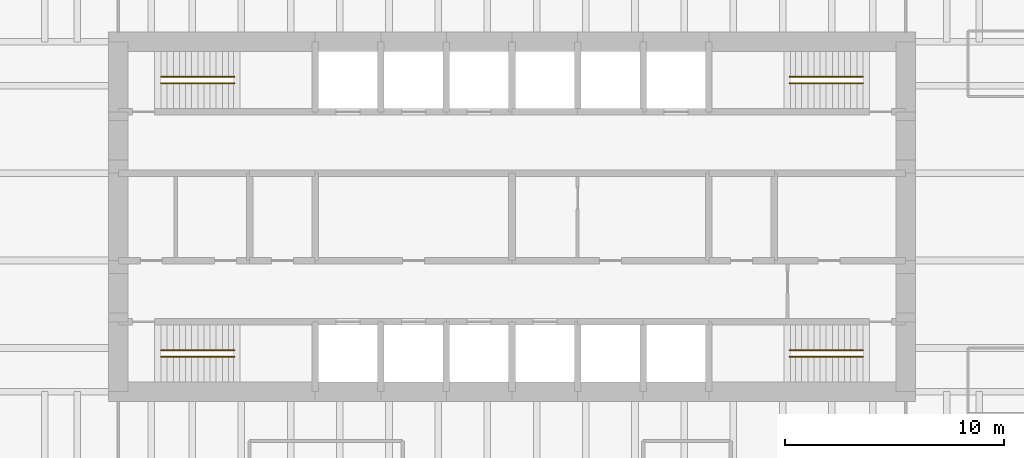
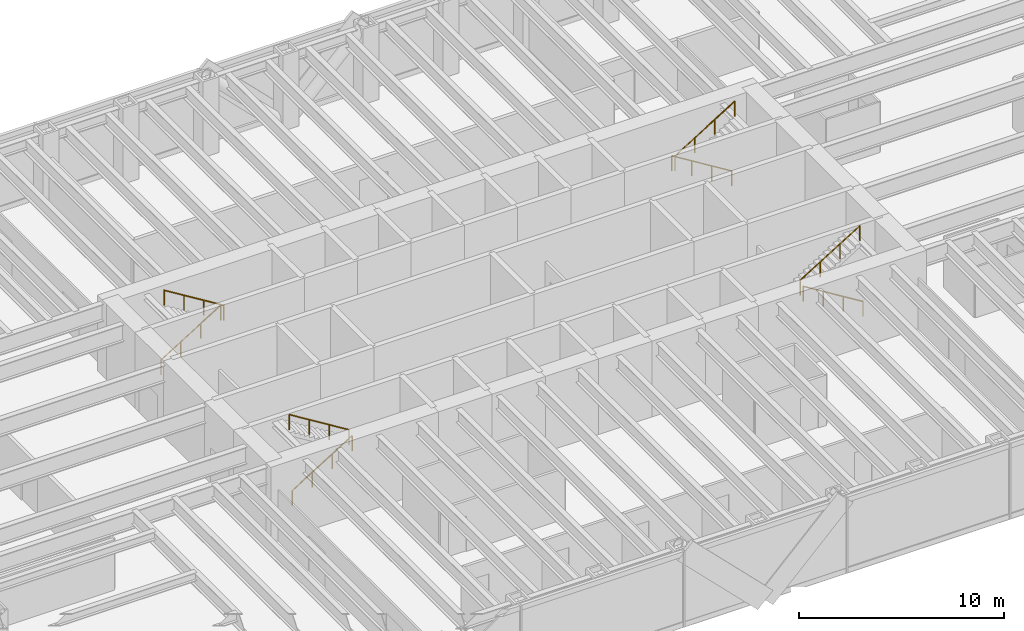
# One storey, part 13 of 13: 8 railings.
"""IFC4 building model written with IfcOpenShell, lengths in metres."""

from ifc_helpers import new_model, si_unit, direction, frame, origin, origin_2d, place, context, subcontext, project, spatial, circle, extrude, material, type_object, element, save


model = new_model("IFC4")

# Units and contexts
model_context = context("Model", 3, precision=1e-05, world=origin(), true_north=direction((0.0, 1.0)))
body_context = subcontext(model_context, "Body", "Model", "MODEL_VIEW")
ifc_project = project(units=[si_unit("LENGTHUNIT", "METRE"), si_unit("AREAUNIT", "SQUARE_METRE"), si_unit("VOLUMEUNIT", "CUBIC_METRE"), si_unit("PLANEANGLEUNIT", "RADIAN"), si_unit("MASSUNIT", "GRAM", prefix="KILO")], contexts=[model_context])

# Site, building, storey
site_placement = place(None, origin())
site = spatial("IfcSite", under=ifc_project, at=site_placement, CompositionType="ELEMENT")
building_placement = place(site_placement, origin())
building = spatial("IfcBuilding", under=site, at=building_placement, Name="Rheinbord Bourse Tower", CompositionType="ELEMENT")
storey_placement = place(building_placement, frame((0.0, 0.0, 32.0)))
storey = spatial("IfcBuildingStorey", under=building, at=storey_placement, Name="L06", CompositionType="ELEMENT", Elevation=32.0)

# Railings
ifc_material = material(Name="Steel handrail", Category="steel")
railing_type = type_object("IfcRailingType", Name="HANDRAIL 900", PredefinedType="HANDRAIL", material=ifc_material)
railing_1_placement = place(storey_placement, frame((19.949951171875, 17.60009765625, 0.173095703125)))
element("IfcRailing", 1, at=railing_1_placement, inside=storey, type_object=railing_type, Name="Handrail", PredefinedType="HANDRAIL", context=body_context, shape_type="SweptSolid", body=[
    extrude(circle(Radius=0.02392578125, at=origin_2d()), frame((0.0, 0.0, 0.8759765625), z_axis=(0.850623216509, 0.0, 0.525775754039), x_axis=(0.0, 1.0, 0.0)), (0.0, 0.0, 1.0), 3.9501953125),
    extrude(circle(Radius=0.02099609375, at=origin_2d()), origin(), (0.0, 0.0, 1.0), 0.851806640625),
    extrude(circle(Radius=0.02099609375, at=origin_2d()), frame((1.1201171875, 0.0, 0.6923828125)), (0.0, 0.0, 1.0), 0.851806640625),
    extrude(circle(Radius=0.02099609375, at=origin_2d()), frame((2.239990234375, 0.0, 1.384521484375)), (0.0, 0.0, 1.0), 0.851806640625),
    extrude(circle(Radius=0.02099609375, at=origin_2d()), frame((3.360107421875, 0.0, 2.076904296875)), (0.0, 0.0, 1.0), 0.851806640625),
])
railing_2_placement = place(storey_placement, frame((23.31005859375, 17.89990234375, 2.423095703125)))
element("IfcRailing", 2, at=railing_2_placement, inside=storey, type_object=railing_type, Name="Handrail", PredefinedType="HANDRAIL", context=body_context, shape_type="SweptSolid", body=[
    extrude(circle(Radius=0.02392578125, at=origin_2d()), frame((0.0, 0.0, 0.8759765625), z_axis=(-0.850623216509, 0.0, 0.525775754039), x_axis=(0.0, -1.0, 0.0)), (0.0, 0.0, 1.0), 3.9501953125),
    extrude(circle(Radius=0.02099609375, at=origin_2d()), origin(), (0.0, 0.0, 1.0), 0.851806640625),
    extrude(circle(Radius=0.02099609375, at=origin_2d()), frame((-1.1201171875, 0.0, 0.6923828125)), (0.0, 0.0, 1.0), 0.851806640625),
    extrude(circle(Radius=0.02099609375, at=origin_2d()), frame((-2.239990234375, 0.0, 1.384521484375)), (0.0, 0.0, 1.0), 0.851806640625),
    extrude(circle(Radius=0.02099609375, at=origin_2d()), frame((-3.360107421875, 0.0, 2.076904296875)), (0.0, 0.0, 1.0), 0.851806640625),
])
railing_3_placement = place(storey_placement, frame((19.949951171875, 30.39990234375, 0.173095703125)))
element("IfcRailing", 3, at=railing_3_placement, inside=storey, type_object=railing_type, Name="Handrail", PredefinedType="HANDRAIL", context=body_context, shape_type="SweptSolid", body=[
    extrude(circle(Radius=0.02392578125, at=origin_2d()), frame((0.0, 0.0, 0.8759765625), z_axis=(0.850623216509, 0.0, 0.525775754039), x_axis=(0.0, 1.0, 0.0)), (0.0, 0.0, 1.0), 3.9501953125),
    extrude(circle(Radius=0.02099609375, at=origin_2d()), origin(), (0.0, 0.0, 1.0), 0.851806640625),
    extrude(circle(Radius=0.02099609375, at=origin_2d()), frame((1.1201171875, 0.0, 0.6923828125)), (0.0, 0.0, 1.0), 0.851806640625),
    extrude(circle(Radius=0.02099609375, at=origin_2d()), frame((2.239990234375, 0.0, 1.384521484375)), (0.0, 0.0, 1.0), 0.851806640625),
    extrude(circle(Radius=0.02099609375, at=origin_2d()), frame((3.360107421875, 0.0, 2.076904296875)), (0.0, 0.0, 1.0), 0.851806640625),
])
for number, where, name in (
    (4, (23.31005859375, 30.10009765625, 2.423095703125), "Handrail"),
    (5, (52.050048828125, 17.60009765625, 0.173095703125), "Handrail"),
):
    element("IfcRailing", number, at=place(storey_placement, frame(where)), inside=storey, type_object=railing_type, Name=name, PredefinedType="HANDRAIL", context=body_context, shape_type="SweptSolid", body=[
        extrude(circle(Radius=0.02392578125, at=origin_2d()), frame((0.0, 0.0, 0.8759765625), z_axis=(-0.850623216509, 0.0, 0.525775754039), x_axis=(0.0, -1.0, 0.0)), (0.0, 0.0, 1.0), 3.9501953125),
        extrude(circle(Radius=0.02099609375, at=origin_2d()), origin(), (0.0, 0.0, 1.0), 0.851806640625),
        extrude(circle(Radius=0.02099609375, at=origin_2d()), frame((-1.1201171875, 0.0, 0.6923828125)), (0.0, 0.0, 1.0), 0.851806640625),
        extrude(circle(Radius=0.02099609375, at=origin_2d()), frame((-2.239990234375, 0.0, 1.384521484375)), (0.0, 0.0, 1.0), 0.851806640625),
        extrude(circle(Radius=0.02099609375, at=origin_2d()), frame((-3.360107421875, 0.0, 2.076904296875)), (0.0, 0.0, 1.0), 0.851806640625),
    ])
railing_4_placement = place(storey_placement, frame((48.68994140625, 17.89990234375, 2.423095703125)))
element("IfcRailing", 6, at=railing_4_placement, inside=storey, type_object=railing_type, Name="Handrail", PredefinedType="HANDRAIL", context=body_context, shape_type="SweptSolid", body=[
    extrude(circle(Radius=0.02392578125, at=origin_2d()), frame((0.0, 0.0, 0.8759765625), z_axis=(0.850623216509, 0.0, 0.525775754039), x_axis=(0.0, 1.0, 0.0)), (0.0, 0.0, 1.0), 3.9501953125),
    extrude(circle(Radius=0.02099609375, at=origin_2d()), origin(), (0.0, 0.0, 1.0), 0.851806640625),
    extrude(circle(Radius=0.02099609375, at=origin_2d()), frame((1.1201171875, 0.0, 0.6923828125)), (0.0, 0.0, 1.0), 0.851806640625),
    extrude(circle(Radius=0.02099609375, at=origin_2d()), frame((2.239990234375, 0.0, 1.384521484375)), (0.0, 0.0, 1.0), 0.851806640625),
    extrude(circle(Radius=0.02099609375, at=origin_2d()), frame((3.360107421875, 0.0, 2.076904296875)), (0.0, 0.0, 1.0), 0.851806640625),
])
railing_5_placement = place(storey_placement, frame((52.050048828125, 30.39990234375, 0.173095703125)))
element("IfcRailing", 7, at=railing_5_placement, inside=storey, type_object=railing_type, Name="Handrail", PredefinedType="HANDRAIL", context=body_context, shape_type="SweptSolid", body=[
    extrude(circle(Radius=0.02392578125, at=origin_2d()), frame((0.0, 0.0, 0.8759765625), z_axis=(-0.850623216509, 0.0, 0.525775754039), x_axis=(0.0, -1.0, 0.0)), (0.0, 0.0, 1.0), 3.9501953125),
    extrude(circle(Radius=0.02099609375, at=origin_2d()), origin(), (0.0, 0.0, 1.0), 0.851806640625),
    extrude(circle(Radius=0.02099609375, at=origin_2d()), frame((-1.1201171875, 0.0, 0.6923828125)), (0.0, 0.0, 1.0), 0.851806640625),
    extrude(circle(Radius=0.02099609375, at=origin_2d()), frame((-2.239990234375, 0.0, 1.384521484375)), (0.0, 0.0, 1.0), 0.851806640625),
    extrude(circle(Radius=0.02099609375, at=origin_2d()), frame((-3.360107421875, 0.0, 2.076904296875)), (0.0, 0.0, 1.0), 0.851806640625),
])
railing_6_placement = place(storey_placement, frame((48.68994140625, 30.10009765625, 2.423095703125)))
element("IfcRailing", 8, at=railing_6_placement, inside=storey, type_object=railing_type, Name="Handrail", PredefinedType="HANDRAIL", context=body_context, shape_type="SweptSolid", body=[
    extrude(circle(Radius=0.02392578125, at=origin_2d()), frame((0.0, 0.0, 0.8759765625), z_axis=(0.850623216509, 0.0, 0.525775754039), x_axis=(0.0, 1.0, 0.0)), (0.0, 0.0, 1.0), 3.9501953125),
    extrude(circle(Radius=0.02099609375, at=origin_2d()), origin(), (0.0, 0.0, 1.0), 0.851806640625),
    extrude(circle(Radius=0.02099609375, at=origin_2d()), frame((1.1201171875, 0.0, 0.6923828125)), (0.0, 0.0, 1.0), 0.851806640625),
    extrude(circle(Radius=0.02099609375, at=origin_2d()), frame((2.239990234375, 0.0, 1.384521484375)), (0.0, 0.0, 1.0), 0.851806640625),
    extrude(circle(Radius=0.02099609375, at=origin_2d()), frame((3.360107421875, 0.0, 2.076904296875)), (0.0, 0.0, 1.0), 0.851806640625),
])

save(model, "model.ifc")
